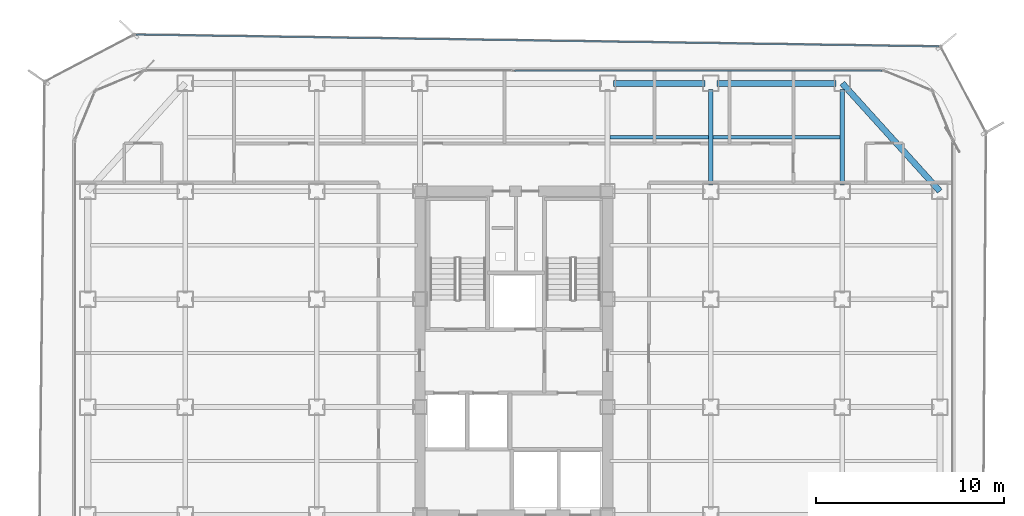
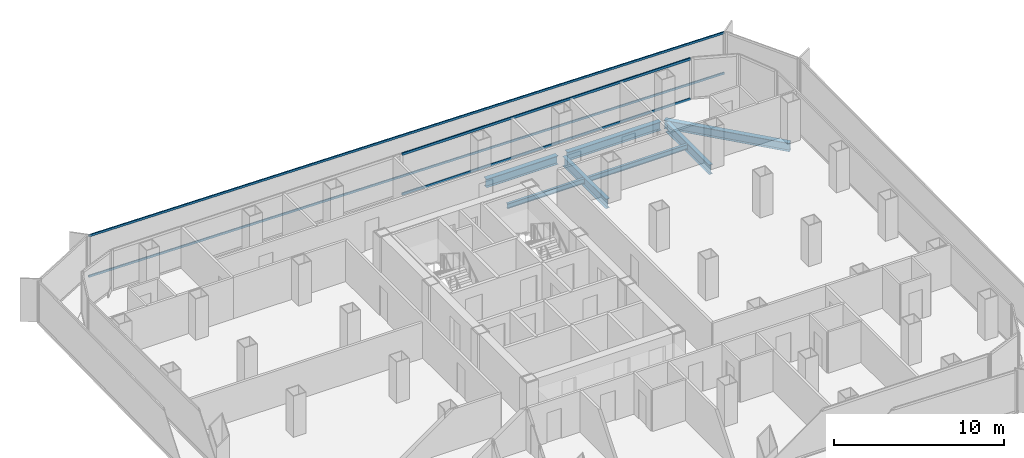
# One storey, part 13 of 21: 7 beams, 4 members, 2 elements without a shape of their own.
"""IFC4 building model written with IfcOpenShell, lengths in metres."""

from ifc_helpers import new_model, si_unit, direction, frame, origin, origin_2d, place, context, subcontext, project, spatial, hollow_rectangle, i_section, extrude, source, transform, mapped, material, layer, layer_set, material_profile, profile_set, type_object, element, aggregate, save


model = new_model("IFC4")

# Units and contexts
model_context = context("Model", 3, precision=1e-05, world=origin(), true_north=direction((0.0, 1.0)))
body_context = subcontext(model_context, "Body", "Model", "MODEL_VIEW")
ifc_project = project(units=[si_unit("LENGTHUNIT", "METRE"), si_unit("AREAUNIT", "SQUARE_METRE"), si_unit("VOLUMEUNIT", "CUBIC_METRE"), si_unit("PLANEANGLEUNIT", "RADIAN"), si_unit("MASSUNIT", "GRAM", prefix="KILO")], contexts=[model_context])

# Site, building, storey
site_placement = place(None, origin())
site = spatial("IfcSite", under=ifc_project, at=site_placement, CompositionType="ELEMENT")
building_placement = place(site_placement, origin())
building = spatial("IfcBuilding", under=site, at=building_placement, Name="Kolveth Station Tower", CompositionType="ELEMENT")
storey_placement = place(building_placement, frame((0.0, 0.0, 115.10009765625)))
storey = spatial("IfcBuildingStorey", under=building, at=storey_placement, Name="L31", CompositionType="ELEMENT", Elevation=115.10009765625)

# Beams
ifc_material_1 = material(Name="Steel S355", Category="steel")
ifc_material_profile_1 = material_profile(ifc_material_1, i_section(OverallWidth=0.323974609375, OverallDepth=0.611083984375, WebThickness=0.0126953125, FlangeThickness=0.01904296875, at=origin_2d()), Name="W610x155")
ifc_profile_set_1 = profile_set([ifc_material_profile_1], Name="Steel S355")
beam_type_1 = type_object("IfcBeamType", Name="Beam_SP2", PredefinedType="SPANDREL", material=ifc_profile_set_1)
shared_shape_1 = source(origin(), body_context, "Body", "SweptSolid", [
    extrude(i_section(OverallWidth=0.323974609375, OverallDepth=0.611083984375, WebThickness=0.0126953125, FlangeThickness=0.01904296875, at=origin_2d()), origin(), (0.0, 0.0, 1.0), 6.35986328125),
])
beam_1_placement = place(storey_placement, frame((34.320068359375, 34.5, -0.5556640625), z_axis=(1.0, 0.0, 0.0), x_axis=(0.0, 1.0, 0.0)))
element("IfcBeam", 1, at=beam_1_placement, inside=storey, type_object=beam_type_1, Name="L31 Perimeter Spandrel BM-L31-PN-5", PredefinedType="SPANDREL", context=body_context, shape_type="MappedRepresentation", body=[
    mapped(shared_shape_1, transform((0.0, 0.0, 0.0), x_axis=(1.0, 0.0, 0.0), y_axis=(0.0, 1.0, 0.0), z_axis=(0.0, 0.0, 1.0), scale=1.0)),
])
shared_shape_2 = source(origin(), body_context, "Body", "SweptSolid", [
    extrude(i_section(OverallWidth=0.323974609375, OverallDepth=0.611083984375, WebThickness=0.0126953125, FlangeThickness=0.01904296875, at=origin_2d()), origin(), (0.0, 0.0, 1.0), 4.85986328125),
])
beam_2_placement = place(storey_placement, frame((28.820068359375, 34.5, -0.5556640625), z_axis=(1.0, 0.0, 0.0), x_axis=(0.0, 1.0, 0.0)))
element("IfcBeam", 2, at=beam_2_placement, inside=storey, type_object=beam_type_1, Name="L31 Perimeter Spandrel BM-L31-PN-4", PredefinedType="SPANDREL", context=body_context, shape_type="MappedRepresentation", body=[
    mapped(shared_shape_2, transform((0.0, 0.0, 0.0), x_axis=(1.0, 0.0, 0.0), y_axis=(0.0, 1.0, 0.0), z_axis=(0.0, 0.0, 1.0), scale=1.0)),
])
shared_shape_3 = source(origin(), body_context, "Body", "SweptSolid", [
    extrude(i_section(OverallWidth=0.323974609375, OverallDepth=0.611083984375, WebThickness=0.0126953125, FlangeThickness=0.01904296875, at=origin_2d()), origin(), (0.0, 0.0, 1.0), 7.75244140625),
])
beam_3_placement = place(storey_placement, frame((46.199951171875, 28.75, -0.5556640625), z_axis=(-0.670740965555, 0.74169168603, 0.0), x_axis=(-0.74169168603, -0.670740965555, 0.0)))
element("IfcBeam", 3, at=beam_3_placement, inside=storey, type_object=beam_type_1, Name="L31 Corner Edge Girder BM-L31-CNR-NE", PredefinedType="SPANDREL", context=body_context, shape_type="MappedRepresentation", body=[
    mapped(shared_shape_3, transform((0.0, 0.0, 0.0), x_axis=(1.0, 0.0, 0.0), y_axis=(0.0, 1.0, 0.0), z_axis=(0.0, 0.0, 1.0), scale=1.0)),
])
ifc_material_profile_2 = material_profile(ifc_material_1, i_section(OverallWidth=0.25390625, OverallDepth=0.68798828125, WebThickness=0.01318359375, FlangeThickness=0.02099609375, at=origin_2d()), Name="W690x152")
ifc_profile_set_2 = profile_set([ifc_material_profile_2], Name="Steel S355")
beam_type_2 = type_object("IfcBeamType", Name="Beam_B4", PredefinedType="BEAM", material=ifc_profile_set_2)
shared_shape_4 = source(origin(), body_context, "Body", "SweptSolid", [
    extrude(i_section(OverallWidth=0.25390625, OverallDepth=0.68798828125, WebThickness=0.01318359375, FlangeThickness=0.02099609375, at=origin_2d()), origin(), (0.0, 0.0, 1.0), 5.10986328125),
])
for number, where, z_axis, x_axis, name in (
    (4, (34.0, 29.070068359375, -0.593994140625), (0.0, 1.0, 0.0), (-1.0, 0.0, 0.0), "L31 Primary Girder BM-L31-GX340-6"),
    (5, (41.0, 29.070068359375, -0.593994140625), (0.0, 1.0, 0.0), (-1.0, 0.0, 0.0), "L31 Primary Girder BM-L31-GX410-6"),
):
    element("IfcBeam", number, at=place(storey_placement, frame(where, z_axis=z_axis, x_axis=x_axis)), inside=storey, type_object=beam_type_2, Name=name, PredefinedType="BEAM", context=body_context, shape_type="MappedRepresentation", body=[
        mapped(shared_shape_4, transform((0.0, 0.0, 0.0), x_axis=(1.0, 0.0, 0.0), y_axis=(0.0, 1.0, 0.0), z_axis=(0.0, 0.0, 1.0), scale=1.0)),
    ])
ifc_material_profile_3 = material_profile(ifc_material_1, i_section(OverallWidth=0.1708984375, OverallDepth=0.35205078125, WebThickness=0.0068359375, FlangeThickness=0.009765625, at=origin_2d()), Name="W360x44")
ifc_profile_set_3 = profile_set([ifc_material_profile_3], Name="Steel S355")
beam_type_3 = type_object("IfcBeamType", Name="Beam_J2", PredefinedType="JOIST", material=ifc_profile_set_3)
shared_shape_5 = source(origin(), body_context, "Body", "SweptSolid", [
    extrude(i_section(OverallWidth=0.1708984375, OverallDepth=0.35205078125, WebThickness=0.0068359375, FlangeThickness=0.009765625, at=origin_2d()), origin(), (0.0, 0.0, 1.0), 6.75),
])
beam_4_placement = place(storey_placement, frame((34.125, 31.625, -0.426025390625), z_axis=(1.0, 0.0, 0.0), x_axis=(0.0, 1.0, 0.0)))
element("IfcBeam", 6, at=beam_4_placement, inside=storey, type_object=beam_type_3, Name="L31 Secondary Joist JST-L31-6-6", PredefinedType="JOIST", context=body_context, shape_type="MappedRepresentation", body=[
    mapped(shared_shape_5, transform((0.0, 0.0, 0.0), x_axis=(1.0, 0.0, 0.0), y_axis=(0.0, 1.0, 0.0), z_axis=(0.0, 0.0, 1.0), scale=1.0)),
])
shared_shape_6 = source(origin(), body_context, "Body", "SweptSolid", [
    extrude(i_section(OverallWidth=0.1708984375, OverallDepth=0.35205078125, WebThickness=0.0068359375, FlangeThickness=0.009765625, at=origin_2d()), origin(), (0.0, 0.0, 1.0), 5.25),
])
beam_5_placement = place(storey_placement, frame((28.625, 31.625, -0.426025390625), z_axis=(1.0, 0.0, 0.0), x_axis=(0.0, 1.0, 0.0)))
element("IfcBeam", 7, at=beam_5_placement, inside=storey, type_object=beam_type_3, Name="L31 Secondary Joist JST-L31-5-6", PredefinedType="JOIST", context=body_context, shape_type="MappedRepresentation", body=[
    mapped(shared_shape_6, transform((0.0, 0.0, 0.0), x_axis=(1.0, 0.0, 0.0), y_axis=(0.0, 1.0, 0.0), z_axis=(0.0, 0.0, 1.0), scale=1.0)),
])

# Curtain wall, members
ifc_material_2 = material(Name="Aluminium 6063-T6 and low-E dark glass", Category="aluminium")
ifc_layer_1 = layer(ifc_material_2, 0.18994140625)
ifc_layer_set_1 = layer_set([ifc_layer_1], Name="Aluminium 6063-T6 and low-E dark glass")
curtain_wall_type_1 = type_object("IfcCurtainWallType", Name="CurtainWall_CW-Z2", PredefinedType="NOTDEFINED", material=ifc_layer_set_1)
curtain_wall_1_placement = place(storey_placement, origin())
curtain_wall_1 = element("IfcCurtainWall", 8, at=curtain_wall_1_placement, inside=storey, type_object=curtain_wall_type_1, Name="L31 Inner Thermal Curtain Wall 6", PredefinedType="NOTDEFINED")
ifc_material_3 = material(Name="Black anodized aluminium 6063-T6", Category="aluminium")
ifc_material_profile_4 = material_profile(ifc_material_3, hollow_rectangle(XDim=0.080078125, YDim=0.169921875, WallThickness=0.0048828125, at=origin_2d()), Name="ALU-80x170x5")
ifc_profile_set_4 = profile_set([ifc_material_profile_4], Name="Black anodized aluminium 6063-T6")
member_type_1 = type_object("IfcMemberType", Name="Transom_TR2", PredefinedType="USERDEFINED", material=ifc_profile_set_4)
shared_shape_7 = source(origin(), body_context, "Body", "SweptSolid", [
    extrude(hollow_rectangle(XDim=0.080078125, YDim=0.169921875, WallThickness=0.0048828125, at=origin_2d()), origin(), (0.0, 0.0, 1.0), 19.580078125),
])
member_1_placement = place(storey_placement, frame((43.1201171875, 35.179931640625, 0.039794921875), z_axis=(-1.0, 0.0, 0.0), x_axis=(0.0, -1.0, 0.0)))
member_1 = element("IfcMember", 9, at=member_1_placement, type_object=member_type_1, Name="CW-Z2 transom 1.1", ObjectType="TRANSOM", PredefinedType="USERDEFINED", context=body_context, shape_type="MappedRepresentation", body=[
    mapped(shared_shape_7, transform((0.0, 0.0, 0.0), x_axis=(1.0, 0.0, 0.0), y_axis=(0.0, 1.0, 0.0), z_axis=(0.0, 0.0, 1.0), scale=1.0)),
])
member_2_placement = place(storey_placement, frame((43.1201171875, 35.179931640625, 2.909912109375), z_axis=(-1.0, 0.0, 0.0), x_axis=(0.0, -1.0, 0.0)))
member_2 = element("IfcMember", 10, at=member_2_placement, type_object=member_type_1, Name="CW-Z2 transom 1.2", ObjectType="TRANSOM", PredefinedType="USERDEFINED", context=body_context, shape_type="MappedRepresentation", body=[
    mapped(shared_shape_7, transform((0.0, 0.0, 0.0), x_axis=(1.0, 0.0, 0.0), y_axis=(0.0, 1.0, 0.0), z_axis=(0.0, 0.0, 1.0), scale=1.0)),
])
aggregate(curtain_wall_1, [member_1, member_2])

ifc_material_4 = material(Name="Black anodized aluminium 6063-T6 and dark solar glass", Category="aluminium")
ifc_layer_2 = layer(ifc_material_4, 0.159912109375)
ifc_layer_set_2 = layer_set([ifc_layer_2], Name="Black anodized aluminium 6063-T6 and dark solar glass")
curtain_wall_type_2 = type_object("IfcCurtainWallType", Name="OUTER SKIN CW-OS", PredefinedType="NOTDEFINED", material=ifc_layer_set_2)
curtain_wall_2_placement = place(storey_placement, origin())
curtain_wall_2 = element("IfcCurtainWall", 11, at=curtain_wall_2_placement, inside=storey, type_object=curtain_wall_type_2, Name="L31 Outer Ventilated Skin Curtain Wall 4", PredefinedType="NOTDEFINED")
ifc_material_profile_5 = material_profile(ifc_material_3, hollow_rectangle(XDim=0.080078125, YDim=0.14990234375, WallThickness=0.0048828125, at=origin_2d()), Name="ALU-80x150x5")
ifc_profile_set_5 = profile_set([ifc_material_profile_5], Name="Black anodized aluminium 6063-T6")
member_type_2 = type_object("IfcMemberType", Name="Transom_TR-OS", PredefinedType="USERDEFINED", material=ifc_profile_set_5)
shared_shape_8 = source(origin(), body_context, "Body", "SweptSolid", [
    extrude(hollow_rectangle(XDim=0.080078125, YDim=0.14990234375, WallThickness=0.0048828125, at=origin_2d()), origin(), (0.0, 0.0, 1.0), 42.7890625),
])
member_3_placement = place(storey_placement, frame((46.15478515625, 36.461181640625, 0.039794921875), z_axis=(-0.999890635221, 0.014789103977, 0.0), x_axis=(-0.014789103977, -0.999890635221, 0.0)))
member_3 = element("IfcMember", 12, at=member_3_placement, type_object=member_type_2, Name="CW-OS transom 1.1", ObjectType="TRANSOM", PredefinedType="USERDEFINED", context=body_context, shape_type="MappedRepresentation", body=[
    mapped(shared_shape_8, transform((0.0, 0.0, 0.0), x_axis=(1.0, 0.0, 0.0), y_axis=(0.0, 1.0, 0.0), z_axis=(0.0, 0.0, 1.0), scale=1.0)),
])
member_4_placement = place(storey_placement, frame((46.15478515625, 36.461181640625, 2.949951171875), z_axis=(-0.999890635221, 0.014789103977, 0.0), x_axis=(-0.014789103977, -0.999890635221, 0.0)))
member_4 = element("IfcMember", 13, at=member_4_placement, type_object=member_type_2, Name="CW-OS transom 1.2", ObjectType="TRANSOM", PredefinedType="USERDEFINED", context=body_context, shape_type="MappedRepresentation", body=[
    mapped(shared_shape_8, transform((0.0, 0.0, 0.0), x_axis=(1.0, 0.0, 0.0), y_axis=(0.0, 1.0, 0.0), z_axis=(0.0, 0.0, 1.0), scale=1.0)),
])
aggregate(curtain_wall_2, [member_3, member_4])

save(model, "model.ifc")
